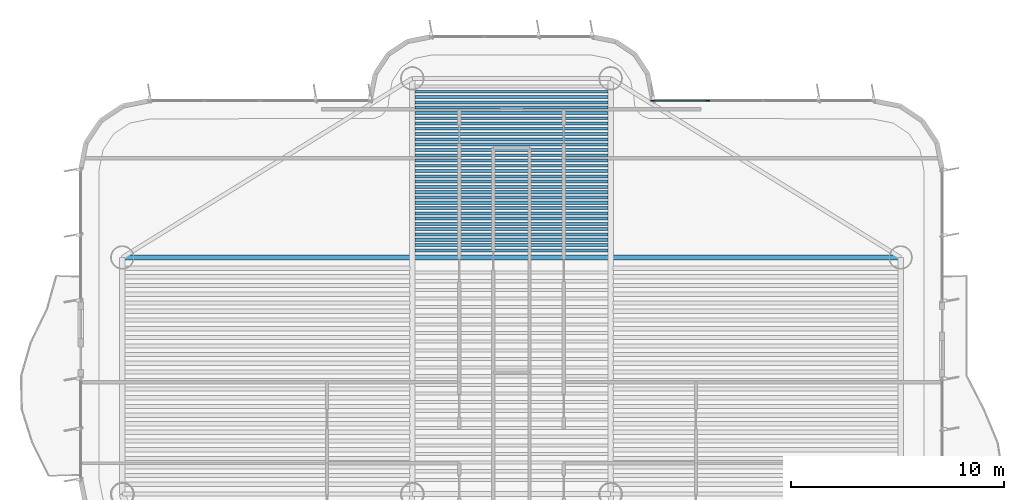
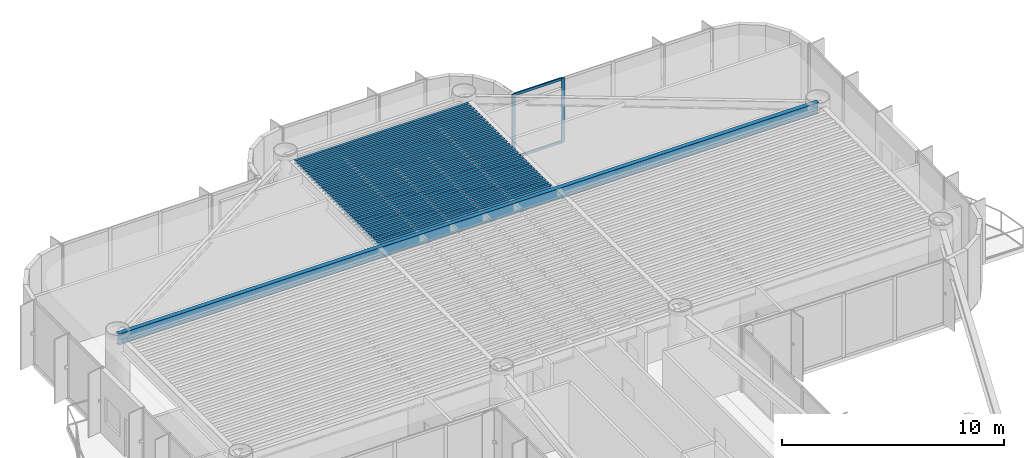
# One storey, part 6 of 14: 32 beams, 4 members, 1 element without a shape of its own.
"""IFC4 building model written with IfcOpenShell, lengths in metres."""

from ifc_helpers import new_model, si_unit, direction, frame, origin, origin_2d, place, context, subcontext, project, spatial, rectangle, i_section, extrude, source, transform, mapped, material, layer, layer_set, material_profile, profile_set, type_object, element, aggregate, save


model = new_model("IFC4")

# Units and contexts
model_context = context("Model", 3, precision=1e-05, world=origin(), true_north=direction((0.0, 1.0)))
body_context = subcontext(model_context, "Body", "Model", "MODEL_VIEW")
ifc_project = project(units=[si_unit("LENGTHUNIT", "METRE"), si_unit("AREAUNIT", "SQUARE_METRE"), si_unit("VOLUMEUNIT", "CUBIC_METRE"), si_unit("PLANEANGLEUNIT", "RADIAN"), si_unit("MASSUNIT", "GRAM", prefix="KILO")], contexts=[model_context])

# Site, building, storey
site_placement = place(None, origin())
site = spatial("IfcSite", under=ifc_project, at=site_placement, CompositionType="ELEMENT")
building_placement = place(site_placement, origin())
building = spatial("IfcBuilding", under=site, at=building_placement, Name="Brelvock Crest Care Tower", CompositionType="ELEMENT")
storey_placement = place(building_placement, frame((0.0, 0.0, 175.320068359375)))
storey = spatial("IfcBuildingStorey", under=building, at=storey_placement, Name="L44", CompositionType="ELEMENT", Elevation=175.320068359375)

# Beams
ifc_material_1 = material(Name="Steel Grade 350", Category="steel")
ifc_material_profile_1 = material_profile(ifc_material_1, i_section(OverallWidth=0.14599609375, OverallDepth=0.256103515625, WebThickness=0.00634765625, FlangeThickness=0.010986328125, FilletRadius=0.0087890625, at=origin_2d()), Name="250UB37.3")
ifc_profile_set_1 = profile_set([ifc_material_profile_1], Name="Steel Grade 350")
beam_type_1 = type_object("IfcBeamType", Name="BM-J3", PredefinedType="JOIST", material=ifc_profile_set_1)
shared_shape_1 = source(origin(), body_context, "Body", "SweptSolid", [
    extrude(i_section(OverallWidth=0.14599609375, OverallDepth=0.256103515625, WebThickness=0.00634765625, FlangeThickness=0.010986328125, FilletRadius=0.0087890625, at=origin_2d()), origin(), (0.0, 0.0, 1.0), 9.06982421875),
])
for number, where, z_axis, x_axis, name in (
    (1, (31.465087890625, 46.385986328125, 3.40185546875), (1.0, 0.0, 0.0), (0.0, 1.0, 0.0), "BM-JN-L44-1"),
    (2, (31.465087890625, 46.6337890625, 3.40185546875), (1.0, 0.0, 0.0), (0.0, 1.0, 0.0), "BM-JN-L44-2"),
    (3, (31.465087890625, 46.881591796875, 3.40185546875), (1.0, 0.0, 0.0), (0.0, 1.0, 0.0), "BM-JN-L44-3"),
    (4, (31.465087890625, 47.12939453125, 3.40185546875), (1.0, 0.0, 0.0), (0.0, 1.0, 0.0), "BM-JN-L44-4"),
    (5, (31.465087890625, 47.377197265625, 3.40185546875), (1.0, 0.0, 0.0), (0.0, 1.0, 0.0), "BM-JN-L44-5"),
    (6, (31.465087890625, 47.625, 3.40185546875), (1.0, 0.0, 0.0), (0.0, 1.0, 0.0), "BM-JN-L44-6"),
    (7, (31.465087890625, 47.872802734375, 3.40185546875), (1.0, 0.0, 0.0), (0.0, 1.0, 0.0), "BM-JN-L44-7"),
    (8, (31.465087890625, 48.12060546875, 3.40185546875), (1.0, 0.0, 0.0), (0.0, 1.0, 0.0), "BM-JN-L44-8"),
    (9, (31.465087890625, 48.368408203125, 3.40185546875), (1.0, 0.0, 0.0), (0.0, 1.0, 0.0), "BM-JN-L44-9"),
    (10, (31.465087890625, 48.6162109375, 3.40185546875), (1.0, 0.0, 0.0), (0.0, 1.0, 0.0), "BM-JN-L44-10"),
    (11, (31.465087890625, 48.864013671875, 3.40185546875), (1.0, 0.0, 0.0), (0.0, 1.0, 0.0), "BM-JN-L44-11"),
    (12, (31.465087890625, 49.11181640625, 3.40185546875), (1.0, 0.0, 0.0), (0.0, 1.0, 0.0), "BM-JN-L44-12"),
    (13, (31.465087890625, 49.359619140625, 3.40185546875), (1.0, 0.0, 0.0), (0.0, 1.0, 0.0), "BM-JN-L44-13"),
):
    element("IfcBeam", number, at=place(storey_placement, frame(where, z_axis=z_axis, x_axis=x_axis)), inside=storey, type_object=beam_type_1, Name=name, PredefinedType="JOIST", context=body_context, shape_type="MappedRepresentation", body=[
        mapped(shared_shape_1, transform((0.0, 0.0, 0.0), x_axis=(1.0, 0.0, 0.0), y_axis=(0.0, 1.0, 0.0), z_axis=(0.0, 0.0, 1.0), scale=1.0)),
    ])
ifc_material_profile_2 = material_profile(ifc_material_1, i_section(OverallWidth=0.134033203125, OverallDepth=0.20703125, WebThickness=0.00634765625, FlangeThickness=0.009521484375, FilletRadius=0.0087890625, at=origin_2d()), Name="200UB29.8")
ifc_profile_set_2 = profile_set([ifc_material_profile_2], Name="Steel Grade 350")
beam_type_2 = type_object("IfcBeamType", Name="BM-J4", PredefinedType="JOIST", material=ifc_profile_set_2)
shared_shape_2 = source(origin(), body_context, "Body", "SweptSolid", [
    extrude(i_section(OverallWidth=0.134033203125, OverallDepth=0.20703125, WebThickness=0.00634765625, FlangeThickness=0.009521484375, FilletRadius=0.0087890625, at=origin_2d()), origin(), (0.0, 0.0, 1.0), 9.06982421875),
])
for number, where, z_axis, x_axis, name in (
    (14, (31.465087890625, 49.607421875, 3.426513671875), (1.0, 0.0, 0.0), (0.0, 1.0, 0.0), "BM-JN-L44-14"),
    (15, (31.465087890625, 49.855224609375, 3.426513671875), (1.0, 0.0, 0.0), (0.0, 1.0, 0.0), "BM-JN-L44-15"),
    (16, (31.465087890625, 50.10302734375, 3.426513671875), (1.0, 0.0, 0.0), (0.0, 1.0, 0.0), "BM-JN-L44-16"),
    (17, (31.465087890625, 50.350830078125, 3.426513671875), (1.0, 0.0, 0.0), (0.0, 1.0, 0.0), "BM-JN-L44-17"),
    (18, (31.465087890625, 50.5986328125, 3.426513671875), (1.0, 0.0, 0.0), (0.0, 1.0, 0.0), "BM-JN-L44-18"),
    (19, (31.465087890625, 50.846435546875, 3.426513671875), (1.0, 0.0, 0.0), (0.0, 1.0, 0.0), "BM-JN-L44-19"),
    (20, (31.465087890625, 51.09423828125, 3.426513671875), (1.0, 0.0, 0.0), (0.0, 1.0, 0.0), "BM-JN-L44-20"),
    (21, (31.465087890625, 51.342041015625, 3.426513671875), (1.0, 0.0, 0.0), (0.0, 1.0, 0.0), "BM-JN-L44-21"),
    (22, (31.465087890625, 51.58984375, 3.426513671875), (1.0, 0.0, 0.0), (0.0, 1.0, 0.0), "BM-JN-L44-22"),
    (23, (31.465087890625, 51.837646484375, 3.426513671875), (1.0, 0.0, 0.0), (0.0, 1.0, 0.0), "BM-JN-L44-23"),
    (24, (31.465087890625, 52.08544921875, 3.426513671875), (1.0, 0.0, 0.0), (0.0, 1.0, 0.0), "BM-JN-L44-24"),
    (25, (31.465087890625, 52.333251953125, 3.426513671875), (1.0, 0.0, 0.0), (0.0, 1.0, 0.0), "BM-JN-L44-25"),
    (26, (31.465087890625, 52.5810546875, 3.426513671875), (1.0, 0.0, 0.0), (0.0, 1.0, 0.0), "BM-JN-L44-26"),
    (27, (31.465087890625, 52.828857421875, 3.426513671875), (1.0, 0.0, 0.0), (0.0, 1.0, 0.0), "BM-JN-L44-27"),
    (28, (31.465087890625, 53.07666015625, 3.426513671875), (1.0, 0.0, 0.0), (0.0, 1.0, 0.0), "BM-JN-L44-28"),
    (29, (31.465087890625, 53.324462890625, 3.426513671875), (1.0, 0.0, 0.0), (0.0, 1.0, 0.0), "BM-JN-L44-29"),
    (30, (31.465087890625, 53.572265625, 3.426513671875), (1.0, 0.0, 0.0), (0.0, 1.0, 0.0), "BM-JN-L44-30"),
    (31, (31.465087890625, 53.820068359375, 3.426513671875), (1.0, 0.0, 0.0), (0.0, 1.0, 0.0), "BM-JN-L44-31"),
):
    element("IfcBeam", number, at=place(storey_placement, frame(where, z_axis=z_axis, x_axis=x_axis)), inside=storey, type_object=beam_type_2, Name=name, PredefinedType="JOIST", context=body_context, shape_type="MappedRepresentation", body=[
        mapped(shared_shape_2, transform((0.0, 0.0, 0.0), x_axis=(1.0, 0.0, 0.0), y_axis=(0.0, 1.0, 0.0), z_axis=(0.0, 0.0, 1.0), scale=1.0)),
    ])
ifc_material_profile_3 = material_profile(ifc_material_1, i_section(OverallWidth=0.22900390625, OverallDepth=0.612060546875, WebThickness=0.011962890625, FlangeThickness=0.01953125, FilletRadius=0.013916015625, at=origin_2d()), Name="610UB125")
ifc_profile_set_3 = profile_set([ifc_material_profile_3], Name="Steel Grade 350")
beam_type_3 = type_object("IfcBeamType", Name="BM-G1", PredefinedType="BEAM", material=ifc_profile_set_3)
shared_shape_3 = source(origin(), body_context, "Body", "SweptSolid", [
    extrude(i_section(OverallWidth=0.22900390625, OverallDepth=0.612060546875, WebThickness=0.011962890625, FlangeThickness=0.01953125, FilletRadius=0.013916015625, at=origin_2d()), origin(), (0.0, 0.0, 1.0), 36.5),
])
beam_placement = place(storey_placement, frame((17.75, 46.050048828125, 3.223876953125), z_axis=(1.0, 0.0, 0.0), x_axis=(0.0, 1.0, 0.0)))
element("IfcBeam", 32, at=beam_placement, inside=storey, type_object=beam_type_3, Name="BM-TWR-L44-11", PredefinedType="BEAM", context=body_context, shape_type="MappedRepresentation", body=[
    mapped(shared_shape_3, transform((0.0, 0.0, 0.0), x_axis=(1.0, 0.0, 0.0), y_axis=(0.0, 1.0, 0.0), z_axis=(0.0, 0.0, 1.0), scale=1.0)),
])

# Curtain wall, members
ifc_material_2 = material(Name="Dark Glass Double Glazed Low-E", Category="glass")
ifc_layer = layer(ifc_material_2, 0.22509765625, Name="CWS-4")
ifc_layer_set = layer_set([ifc_layer], Name="Dark Glass Double Glazed Low-E")
curtain_wall_type = type_object("IfcCurtainWallType", Name="CWS-4", PredefinedType="NOTDEFINED", material=ifc_layer_set)
curtain_wall_placement = place(storey_placement, origin())
curtain_wall = element("IfcCurtainWall", 33, at=curtain_wall_placement, inside=storey, type_object=curtain_wall_type, Name="L44 Curtain Wall E34", PredefinedType="NOTDEFINED")
ifc_material_3 = material(Name="Aluminium 6063-T6", Category="aluminium")
ifc_material_profile_4 = material_profile(ifc_material_3, rectangle(XDim=0.06005859375, YDim=0.179931640625, at=origin_2d()), Name="ALU60x180")
ifc_profile_set_4 = profile_set([ifc_material_profile_4], Name="Aluminium 6063-T6")
member_type_1 = type_object("IfcMemberType", Name="CWM-2", PredefinedType="MULLION", material=ifc_profile_set_4)
shared_shape_4 = source(origin(), body_context, "Body", "SweptSolid", [
    extrude(rectangle(XDim=0.06005859375, YDim=0.179931640625, at=origin_2d()), origin(), (0.0, 0.0, 1.0), 3.530029296875),
])
member_1_placement = place(storey_placement, frame((42.6298828125, 53.39990234375, 0.0), z_axis=(0.0, 0.0, 1.0), x_axis=(0.0, 1.0, 0.0)))
member_1 = element("IfcMember", 34, at=member_1_placement, type_object=member_type_1, Name="CW-4 mullion 1", PredefinedType="MULLION", context=body_context, shape_type="MappedRepresentation", body=[
    mapped(shared_shape_4, transform((0.0, 0.0, 0.0), x_axis=(1.0, 0.0, 0.0), y_axis=(0.0, 1.0, 0.0), z_axis=(0.0, 0.0, 1.0), scale=1.0)),
])
member_2_placement = place(storey_placement, frame((45.199951171875, 53.39990234375, 0.0), z_axis=(0.0, 0.0, 1.0), x_axis=(0.0, 1.0, 0.0)))
member_2 = element("IfcMember", 35, at=member_2_placement, type_object=member_type_1, Name="CW-4 mullion 2", PredefinedType="MULLION", context=body_context, shape_type="MappedRepresentation", body=[
    mapped(shared_shape_4, transform((0.0, 0.0, 0.0), x_axis=(1.0, 0.0, 0.0), y_axis=(0.0, 1.0, 0.0), z_axis=(0.0, 0.0, 1.0), scale=1.0)),
])
ifc_material_profile_5 = material_profile(ifc_material_3, rectangle(XDim=0.06005859375, YDim=0.139892578125, at=origin_2d()), Name="ALU60x140")
ifc_profile_set_5 = profile_set([ifc_material_profile_5], Name="Aluminium 6063-T6")
member_type_2 = type_object("IfcMemberType", Name="CWT-2", PredefinedType="USERDEFINED", material=ifc_profile_set_5)
shared_shape_5 = source(origin(), body_context, "Body", "SweptSolid", [
    extrude(rectangle(XDim=0.06005859375, YDim=0.139892578125, at=origin_2d()), origin(), (0.0, 0.0, 1.0), 2.510009765625),
])
member_3_placement = place(storey_placement, frame((42.659912109375, 53.39990234375, 0.030029296875), z_axis=(1.0, 0.0, 0.0), x_axis=(0.0, 1.0, 0.0)))
member_3 = element("IfcMember", 36, at=member_3_placement, type_object=member_type_2, Name="CW-4 transom 1.1", ObjectType="TRANSOM", PredefinedType="USERDEFINED", context=body_context, shape_type="MappedRepresentation", body=[
    mapped(shared_shape_5, transform((0.0, 0.0, 0.0), x_axis=(1.0, 0.0, 0.0), y_axis=(0.0, 1.0, 0.0), z_axis=(0.0, 0.0, 1.0), scale=1.0)),
])
member_4_placement = place(storey_placement, frame((42.659912109375, 53.39990234375, 3.5), z_axis=(1.0, 0.0, 0.0), x_axis=(0.0, 1.0, 0.0)))
member_4 = element("IfcMember", 37, at=member_4_placement, type_object=member_type_2, Name="CW-4 transom 1.2", ObjectType="TRANSOM", PredefinedType="USERDEFINED", context=body_context, shape_type="MappedRepresentation", body=[
    mapped(shared_shape_5, transform((0.0, 0.0, 0.0), x_axis=(1.0, 0.0, 0.0), y_axis=(0.0, 1.0, 0.0), z_axis=(0.0, 0.0, 1.0), scale=1.0)),
])
aggregate(curtain_wall, [member_1, member_2, member_3, member_4])

save(model, "model.ifc")
